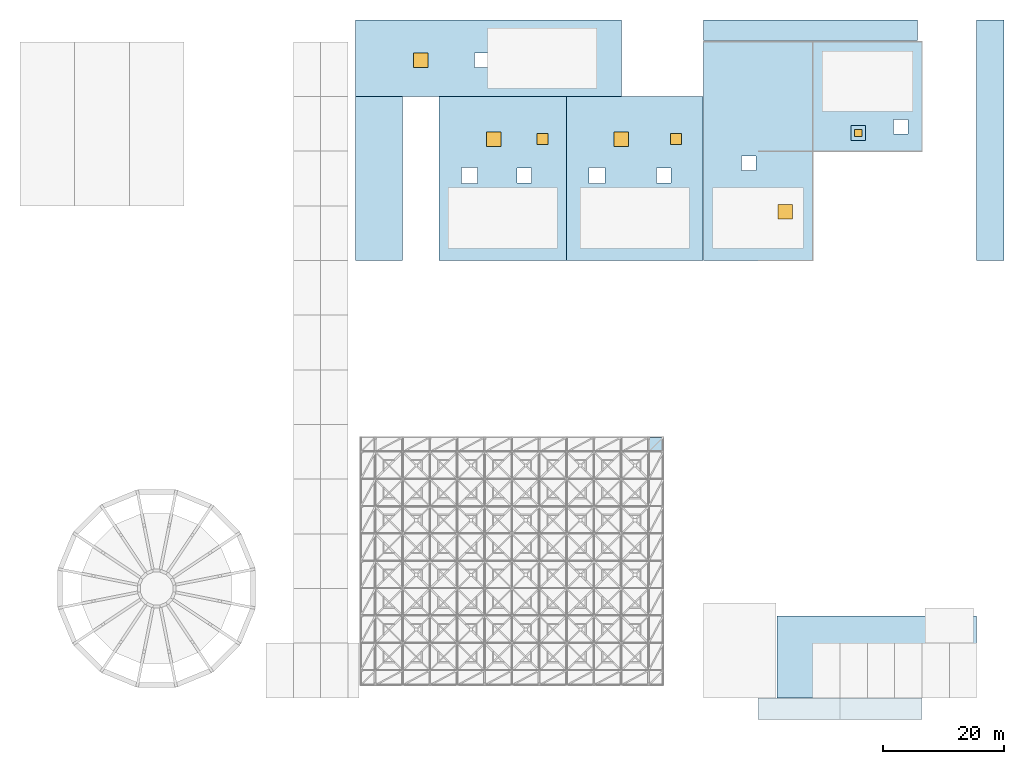
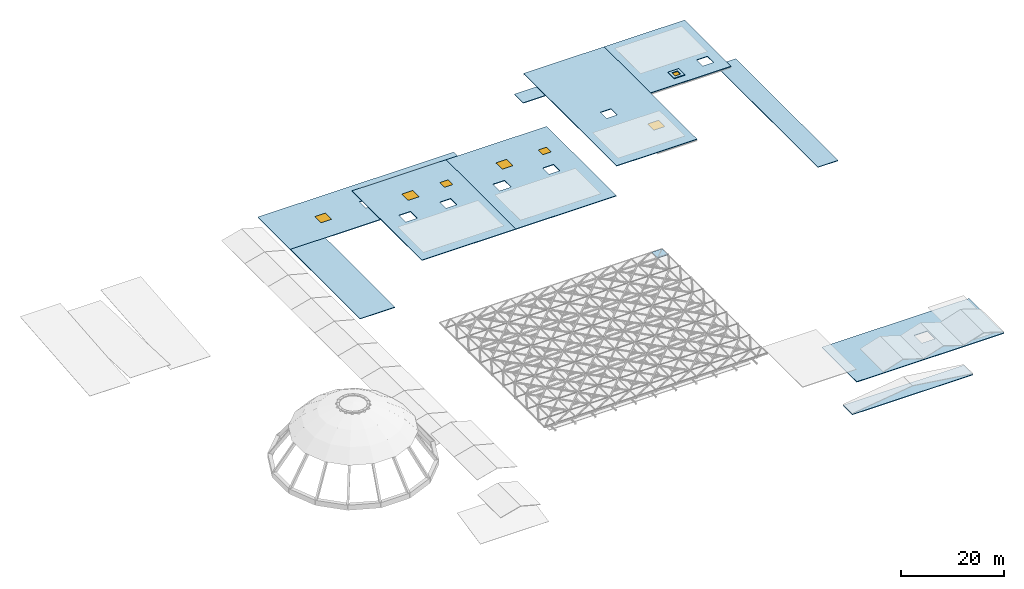
"""IFC4 building model written with IfcOpenShell, lengths in metres."""

from ifc_helpers import new_model, si_unit, direction, frame, origin, origin_2d, place, context, subcontext, project, spatial, polyline, rectangle, outline, extrude, material, layer, layer_set, type_object, element, fill, aggregate, save


model = new_model("IFC4")

# Units and contexts
model_context = context("Model", 3, precision=1e-05, world=origin(), true_north=direction((0.0, 1.0)))
body_context = subcontext(model_context, "Body", "Model", "MODEL_VIEW")
ifc_project = project(units=[si_unit("LENGTHUNIT", "METRE"), si_unit("AREAUNIT", "SQUARE_METRE"), si_unit("VOLUMEUNIT", "CUBIC_METRE"), si_unit("PLANEANGLEUNIT", "RADIAN"), si_unit("MASSUNIT", "GRAM", prefix="KILO"), si_unit("THERMODYNAMICTEMPERATUREUNIT", "KELVIN"), si_unit("POWERUNIT", "WATT")], contexts=[model_context])

# Site, building, storey
site_placement = place(None, origin())
site = spatial("IfcSite", under=ifc_project, at=site_placement, CompositionType="ELEMENT")
building_placement = place(site_placement, origin())
building = spatial("IfcBuilding", under=site, at=building_placement, Name="Tallowbark Science Centre", CompositionType="ELEMENT")
storey_1_placement = place(building_placement, frame((0.0, 0.0, 25.949951171875)))
storey_1 = spatial("IfcBuildingStorey", under=building, at=storey_1_placement, Name="ROOF", CompositionType="ELEMENT", Elevation=25.949951171875)

# Curtain wall, plate
ifc_material_1 = material(Name="Blue-Tinted Laminated Low-E Skylight Glass", Category="glass")
curtain_wall_type = type_object("IfcCurtainWallType", Name="CW-SKY-ROOF", PredefinedType="NOTDEFINED", material=ifc_material_1)
curtain_wall_placement = place(storey_1_placement, origin())
curtain_wall = element("IfcCurtainWall", 1, at=curtain_wall_placement, inside=storey_1, type_object=curtain_wall_type, Name="Exhibition Star-Screen Skylight Bay 12", PredefinedType="NOTDEFINED")
ifc_layer_1 = layer(ifc_material_1, 0.035888671875)
ifc_layer_set_1 = layer_set([ifc_layer_1], Name="Blue-Tinted Laminated Low-E Skylight Glass")
plate_type = type_object("IfcPlateType", Name="CWP-SKY-36", PredefinedType="CURTAIN_PANEL", material=ifc_layer_set_1)
plate_placement = place(storey_1_placement, frame((104.699951171875, 41.699951171875, 0.333984375), z_axis=(0.0, 0.0, 1.0), x_axis=(1.0, 0.0, 0.0)))
plate = element("IfcPlate", 2, at=plate_placement, type_object=plate_type, Name="Exhibition Star-Screen Skylight Glass Panel 120", PredefinedType="CURTAIN_PANEL", context=body_context, shape_type="SweptSolid", body=[
    extrude(rectangle(XDim=2.39208984375, YDim=2.39208984375, at=origin_2d()), origin(), (0.0, 0.0, 1.0), 0.035888671875),
])
aggregate(curtain_wall, [plate])

# Slab
ifc_material_2 = material(Name="Concrete Grade N40 (40 MPa)", Category="concrete")
ifc_layer_2 = layer(ifc_material_2, 0.14990234375)
ifc_layer_set_2 = layer_set([ifc_layer_2], Name="Concrete Grade N40 (40 MPa)")
slab_type_1 = type_object("IfcSlabType", Name="SLB-ROOF-150", PredefinedType="ROOF", material=ifc_layer_set_2)
slab_1_placement = place(storey_1_placement, frame((0.0, 0.0, -16.199951171875)))
element("IfcSlab", 3, at=slab_1_placement, inside=storey_1, type_object=slab_type_1, Name="Theatre Portico Entablature Deck SLB-THT-POR-RF", PredefinedType="ROOF", context=body_context, shape_type="SweptSolid", body=[
    extrude(outline(polyline([(121.5, -3.60009765625), (148.5, -3.60009765625), (148.5, 0.0), (121.5, 0.0), (121.5, -3.60009765625)])), origin(), (0.0, 0.0, 1.0), 0.14990234375),
])

# Slab, opening, window
slab_2_placement = place(storey_1_placement, frame((0.0, 0.0, -16.199951171875)))
slab_2 = element("IfcSlab", 4, at=slab_2_placement, inside=storey_1, type_object=slab_type_1, Name="Science Park Cafe Roof SLB-LAB-CAF-RF", PredefinedType="ROOF", context=body_context, shape_type="SweptSolid", body=[
    extrude(outline(polyline([(55.199951171875, 99.0), (99.0, 99.0), (99.0, 111.60009765625), (55.199951171875, 111.60009765625), (55.199951171875, 99.0)]), holes=[polyline([(74.800048828125, 103.800048828125), (77.199951171875, 103.800048828125), (77.199951171875, 106.199951171875), (74.800048828125, 106.199951171875), (74.800048828125, 103.800048828125)])]), origin(), (0.0, 0.0, 1.0), 0.14990234375),
])
opening_1_placement = place(slab_2_placement, frame((66.0, 105.0, 0.0)))
opening_1 = element("IfcOpeningElement", 5, at=opening_1_placement, cuts=slab_2, Name="Opening SK-02", PredefinedType="OPENING", context=body_context, shape_type="SweptSolid", body=[
    extrude(rectangle(XDim=2.39990234375, YDim=2.39990234375, at=origin_2d()), frame((0.0, 0.0, -0.010009765625)), (0.0, 0.0, 1.0), 0.169921875),
])
ifc_material_3 = material(Name="Thermally Broken Aluminium and Low-E Double Glazing", Category="aluminium")
window_type_1 = type_object("IfcWindowType", Name="SKY-240x240", PartitioningType="SINGLE_PANEL", PredefinedType="SKYLIGHT", material=ifc_material_3)
window_1_placement = place(opening_1_placement, frame((0.0, 0.0, 0.099853515625)))
window_1 = element("IfcWindow", 6, at=window_1_placement, inside=storey_1, type_object=window_type_1, Name="Roof Skylight SKY-CAF-1", OverallHeight=2.39990234375, OverallWidth=2.39990234375, PartitioningType="SINGLE_PANEL", PredefinedType="SKYLIGHT", context=body_context, shape_type="SweptSolid", body=[
    extrude(rectangle(XDim=2.39990234375, YDim=2.39990234375, at=origin_2d()), origin(), (0.0, 0.0, 1.0), 0.050048828125),
])
fill(opening_1, window_1)

# Slabs
slab_3_placement = place(storey_1_placement, frame((0.0, 0.0, -16.199951171875)))
element("IfcSlab", 7, at=slab_3_placement, inside=storey_1, type_object=slab_type_1, Name="Laboratories West Podium Roof SLB-LAB-WSTEP-RF", PredefinedType="ROOF", context=body_context, shape_type="SweptSolid", body=[
    extrude(outline(polyline([(55.199951171875, 72.0), (63.0, 72.0), (63.0, 99.0), (55.199951171875, 99.0), (55.199951171875, 72.0)])), origin(), (0.0, 0.0, 1.0), 0.14990234375),
])
slab_4_placement = place(storey_1_placement, frame((0.0, 0.0, -16.199951171875)))
element("IfcSlab", 8, at=slab_4_placement, inside=storey_1, type_object=slab_type_1, Name="Observatory East Podium Roof SLB-OBS-ESTEP-RF", PredefinedType="ROOF", context=body_context, shape_type="SweptSolid", body=[
    extrude(outline(polyline([(157.5, 72.0), (162.0, 72.0), (162.0, 111.60009765625), (157.5, 111.60009765625), (157.5, 72.0)])), origin(), (0.0, 0.0, 1.0), 0.14990234375),
])
slab_5_placement = place(storey_1_placement, frame((0.0, 0.0, -7.239990234375)))
element("IfcSlab", 9, at=slab_5_placement, inside=storey_1, type_object=slab_type_1, Name="Observatory North Setback Roof SLB-OBS-NRF-L04", PredefinedType="ROOF", context=body_context, shape_type="SweptSolid", body=[
    extrude(outline(polyline([(112.52490234375, 108.199951171875), (147.800048828125, 108.199951171875), (147.800048828125, 111.60009765625), (112.52490234375, 111.60009765625), (112.52490234375, 108.199951171875)])), origin(), (0.0, 0.0, 1.0), 0.150146484375),
])
ifc_layer_3 = layer(ifc_material_2, 0.159912109375)
ifc_layer_set_3 = layer_set([ifc_layer_3], Name="Concrete Grade N40 (40 MPa)")
slab_type_2 = type_object("IfcSlabType", Name="SLB-ROOF-160", PredefinedType="ROOF", material=ifc_layer_set_3)
slab_6_placement = place(storey_1_placement, frame((0.0, 0.0, -11.75)))
element("IfcSlab", 10, at=slab_6_placement, inside=storey_1, type_object=slab_type_2, Name="Theatre South Acoustic Roof SLB-THT-RF-L03", PredefinedType="ROOF", context=body_context, shape_type="SweptSolid", body=[
    extrude(outline(polyline([(124.60009765625, 0.0), (157.5, 0.0), (157.5, 13.5), (124.60009765625, 13.5), (124.60009765625, 0.0)]), holes=[polyline([(142.0, 5.0), (145.0, 5.0), (145.0, 8.0), (142.0, 8.0), (142.0, 5.0)])]), origin(), (0.0, 0.0, 1.0), 0.16015625),
])

# Slab, openings, windows
slab_7_placement = place(storey_1_placement, frame((0.0, 0.0, -7.2099609375)))
slab_7 = element("IfcSlab", 11, at=slab_7_placement, inside=storey_1, type_object=slab_type_2, Name="Laboratories Roof West SLB-LAB-RF-W", PredefinedType="ROOF", context=body_context, shape_type="SweptSolid", body=[
    extrude(outline(polyline([(69.0, 72.0), (90.0, 72.0), (90.0, 99.0), (69.0, 99.0), (69.0, 72.0)]), holes=[polyline([(72.699951171875, 84.699951171875), (75.300048828125, 84.699951171875), (75.300048828125, 87.300048828125), (72.699951171875, 87.300048828125), (72.699951171875, 84.699951171875)]), polyline([(81.800048828125, 84.800048828125), (84.199951171875, 84.800048828125), (84.199951171875, 87.199951171875), (81.800048828125, 87.199951171875), (81.800048828125, 84.800048828125)])]), origin(), (0.0, 0.0, 1.0), 0.159912109375),
])
opening_2_placement = place(slab_7_placement, frame((78.0, 92.0, 0.0)))
opening_2 = element("IfcOpeningElement", 12, at=opening_2_placement, cuts=slab_7, Name="Opening SK-02", PredefinedType="OPENING", context=body_context, shape_type="SweptSolid", body=[
    extrude(rectangle(XDim=2.39990234375, YDim=2.39990234375, at=origin_2d()), frame((0.0, 0.0, -0.010009765625)), (0.0, 0.0, 1.0), 0.179931640625),
])
opening_3_placement = place(slab_7_placement, frame((86.0, 92.0, 0.0)))
opening_3 = element("IfcOpeningElement", 13, at=opening_3_placement, cuts=slab_7, Name="Opening SK-01", PredefinedType="OPENING", context=body_context, shape_type="SweptSolid", body=[
    extrude(rectangle(XDim=1.800048828125, YDim=1.800048828125, at=origin_2d()), frame((0.0, 0.0, -0.010009765625)), (0.0, 0.0, 1.0), 0.179931640625),
])
window_type_2 = type_object("IfcWindowType", Name="SKY-180x180", PartitioningType="SINGLE_PANEL", PredefinedType="SKYLIGHT", material=ifc_material_3)
window_2_placement = place(opening_3_placement, frame((0.0, 0.0, 0.10986328125)))
window_2 = element("IfcWindow", 14, at=window_2_placement, inside=storey_1, type_object=window_type_2, Name="Roof Skylight SKY-LAB-3", OverallHeight=1.800048828125, OverallWidth=1.800048828125, PartitioningType="SINGLE_PANEL", PredefinedType="SKYLIGHT", context=body_context, shape_type="SweptSolid", body=[
    extrude(rectangle(XDim=1.800048828125, YDim=1.800048828125, at=origin_2d()), origin(), (0.0, 0.0, 1.0), 0.050048828125),
])
fill(opening_3, window_2)
window_3_placement = place(opening_2_placement, frame((0.0, 0.0, 0.10986328125)))
window_3 = element("IfcWindow", 15, at=window_3_placement, inside=storey_1, type_object=window_type_1, Name="Roof Skylight SKY-LAB-1", OverallHeight=2.39990234375, OverallWidth=2.39990234375, PartitioningType="SINGLE_PANEL", PredefinedType="SKYLIGHT", context=body_context, shape_type="SweptSolid", body=[
    extrude(rectangle(XDim=2.39990234375, YDim=2.39990234375, at=origin_2d()), origin(), (0.0, 0.0, 1.0), 0.050048828125),
])
fill(opening_2, window_3)

slab_8_placement = place(storey_1_placement, frame((0.0, 0.0, -7.2099609375)))
slab_8 = element("IfcSlab", 16, at=slab_8_placement, inside=storey_1, type_object=slab_type_2, Name="Laboratories Roof East SLB-LAB-RF-E", PredefinedType="ROOF", context=body_context, shape_type="SweptSolid", body=[
    extrude(outline(polyline([(90.0, 72.0), (112.47509765625, 72.0), (112.47509765625, 99.0), (90.0, 99.0), (90.0, 72.0)]), holes=[polyline([(93.699951171875, 84.699951171875), (96.300048828125, 84.699951171875), (96.300048828125, 87.300048828125), (93.699951171875, 87.300048828125), (93.699951171875, 84.699951171875)]), polyline([(104.800048828125, 84.800048828125), (107.199951171875, 84.800048828125), (107.199951171875, 87.199951171875), (104.800048828125, 87.199951171875), (104.800048828125, 84.800048828125)])]), origin(), (0.0, 0.0, 1.0), 0.159912109375),
])
opening_4_placement = place(slab_8_placement, frame((99.0, 92.0, 0.0)))
opening_4 = element("IfcOpeningElement", 17, at=opening_4_placement, cuts=slab_8, Name="Opening SK-02", PredefinedType="OPENING", context=body_context, shape_type="SweptSolid", body=[
    extrude(rectangle(XDim=2.39990234375, YDim=2.39990234375, at=origin_2d()), frame((0.0, 0.0, -0.010009765625)), (0.0, 0.0, 1.0), 0.179931640625),
])
opening_5_placement = place(slab_8_placement, frame((108.0, 92.0, 0.0)))
opening_5 = element("IfcOpeningElement", 18, at=opening_5_placement, cuts=slab_8, Name="Opening SK-01", PredefinedType="OPENING", context=body_context, shape_type="SweptSolid", body=[
    extrude(rectangle(XDim=1.800048828125, YDim=1.800048828125, at=origin_2d()), frame((0.0, 0.0, -0.010009765625)), (0.0, 0.0, 1.0), 0.179931640625),
])
window_4_placement = place(opening_5_placement, frame((0.0, 0.0, 0.10986328125)))
window_4 = element("IfcWindow", 19, at=window_4_placement, inside=storey_1, type_object=window_type_2, Name="Roof Skylight SKY-LAB-4", OverallHeight=1.800048828125, OverallWidth=1.800048828125, PartitioningType="SINGLE_PANEL", PredefinedType="SKYLIGHT", context=body_context, shape_type="SweptSolid", body=[
    extrude(rectangle(XDim=1.800048828125, YDim=1.800048828125, at=origin_2d()), origin(), (0.0, 0.0, 1.0), 0.050048828125),
])
fill(opening_5, window_4)
window_5_placement = place(opening_4_placement, frame((0.0, 0.0, 0.10986328125)))
window_5 = element("IfcWindow", 20, at=window_5_placement, inside=storey_1, type_object=window_type_1, Name="Roof Skylight SKY-LAB-2", OverallHeight=2.39990234375, OverallWidth=2.39990234375, PartitioningType="SINGLE_PANEL", PredefinedType="SKYLIGHT", context=body_context, shape_type="SweptSolid", body=[
    extrude(rectangle(XDim=2.39990234375, YDim=2.39990234375, at=origin_2d()), origin(), (0.0, 0.0, 1.0), 0.050048828125),
])
fill(opening_4, window_5)

# Slab, opening, window
slab_9_placement = place(storey_1_placement, frame((0.0, 0.0, -0.159912109375)))
slab_9 = element("IfcSlab", 21, at=slab_9_placement, inside=storey_1, type_object=slab_type_2, Name="Observatory Control Pavilion Roof West SLB-OBS-ROOF-W", PredefinedType="ROOF", context=body_context, shape_type="SweptSolid", body=[
    extrude(outline(polyline([(112.52490234375, 72.0), (130.5, 72.0), (130.5, 108.0), (112.52490234375, 108.0), (112.52490234375, 72.0)]), holes=[polyline([(118.800048828125, 86.800048828125), (121.199951171875, 86.800048828125), (121.199951171875, 89.199951171875), (118.800048828125, 89.199951171875), (118.800048828125, 86.800048828125)])]), origin(), (0.0, 0.0, 1.0), 0.159912109375),
])
opening_6_placement = place(slab_9_placement, frame((126.0, 80.0, 0.0)))
opening_6 = element("IfcOpeningElement", 22, at=opening_6_placement, cuts=slab_9, Name="Opening SK-02", PredefinedType="OPENING", context=body_context, shape_type="SweptSolid", body=[
    extrude(rectangle(XDim=2.39990234375, YDim=2.39990234375, at=origin_2d()), frame((0.0, 0.0, -0.010009765625)), (0.0, 0.0, 1.0), 0.179931640625),
])
window_6_placement = place(opening_6_placement, frame((0.0, 0.0, 0.10986328125)))
window_6 = element("IfcWindow", 23, at=window_6_placement, inside=storey_1, type_object=window_type_1, Name="Roof Skylight SKY-OBS-1", OverallHeight=2.39990234375, OverallWidth=2.39990234375, PartitioningType="SINGLE_PANEL", PredefinedType="SKYLIGHT", context=body_context, shape_type="SweptSolid", body=[
    extrude(rectangle(XDim=2.39990234375, YDim=2.39990234375, at=origin_2d()), origin(), (0.0, 0.0, 1.0), 0.050048828125),
])
fill(opening_6, window_6)

# Slab, opening
slab_10_placement = place(storey_1_placement, frame((0.0, 0.0, -0.159912109375)))
slab_10 = element("IfcSlab", 24, at=slab_10_placement, inside=storey_1, type_object=slab_type_2, Name="Observatory Control Pavilion Roof East SLB-OBS-ROOF-E", PredefinedType="ROOF", context=body_context, shape_type="SweptSolid", body=[
    extrude(outline(polyline([(130.5, 90.0), (148.5, 90.0), (148.5, 108.0), (130.5, 108.0), (130.5, 90.0)]), holes=[polyline([(143.800048828125, 92.800048828125), (146.199951171875, 92.800048828125), (146.199951171875, 95.199951171875), (143.800048828125, 95.199951171875), (143.800048828125, 92.800048828125)])]), origin(), (0.0, 0.0, 1.0), 0.159912109375),
])
opening_7_placement = place(slab_10_placement, frame((138.0, 93.0, 0.0)))
opening_7 = element("IfcOpeningElement", 25, at=opening_7_placement, cuts=slab_10, Name="Opening HT-01", PredefinedType="OPENING", context=body_context, shape_type="SweptSolid", body=[
    extrude(rectangle(XDim=1.199951171875, YDim=1.199951171875, at=origin_2d()), frame((0.0, 0.0, -0.010009765625)), (0.0, 0.0, 1.0), 0.179931640625),
])

# Storey
storey_2_placement = place(building_placement, frame((0.0, 0.0, 23.39990234375)))
storey_2 = spatial("IfcBuildingStorey", under=building, at=storey_2_placement, Name="L05", CompositionType="ELEMENT", Elevation=23.39990234375)

# Door
ifc_material_4 = material(Name="Insulated Aluminium Roof Access Hatch", Category="aluminium")
door_type = type_object("IfcDoorType", Name="EDR-TRAP-120", OperationType="SINGLE_SWING_LEFT", PredefinedType="TRAPDOOR", material=ifc_material_4)
door_placement = place(opening_7_placement, frame((0.0, 0.0, 0.10986328125)))
door = element("IfcDoor", 26, at=door_placement, inside=storey_2, type_object=door_type, Name="Observatory Roof Maintenance Hatch", OperationType="SINGLE_SWING_LEFT", OverallHeight=1.199951171875, OverallWidth=1.199951171875, PredefinedType="TRAPDOOR", context=body_context, shape_type="SweptSolid", body=[
    extrude(rectangle(XDim=1.199951171875, YDim=1.199951171875, at=origin_2d()), origin(), (0.0, 0.0, 1.0), 0.050048828125),
])

fill(opening_7, door)

# Slab
slab_11_placement = place(storey_1_placement, origin())
element("IfcSlab", 27, at=slab_11_placement, inside=storey_1, type_object=slab_type_2, Name="Roof Hatch Upstand Curb", PredefinedType="ROOF", context=body_context, shape_type="SweptSolid", body=[
    extrude(outline(polyline([(136.800048828125, 91.800048828125), (139.199951171875, 91.800048828125), (139.199951171875, 94.199951171875), (136.800048828125, 94.199951171875), (136.800048828125, 91.800048828125)]), holes=[polyline([(137.39990234375, 92.39990234375), (138.60009765625, 92.39990234375), (138.60009765625, 93.60009765625), (137.39990234375, 93.60009765625), (137.39990234375, 92.39990234375)])]), origin(), (0.0, 0.0, 1.0), 0.16015625),
])

save(model, "model.ifc")
